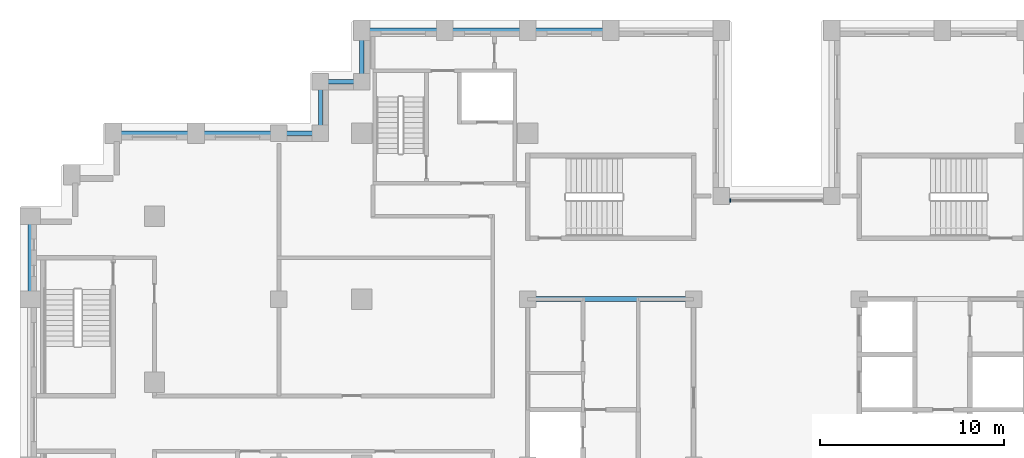
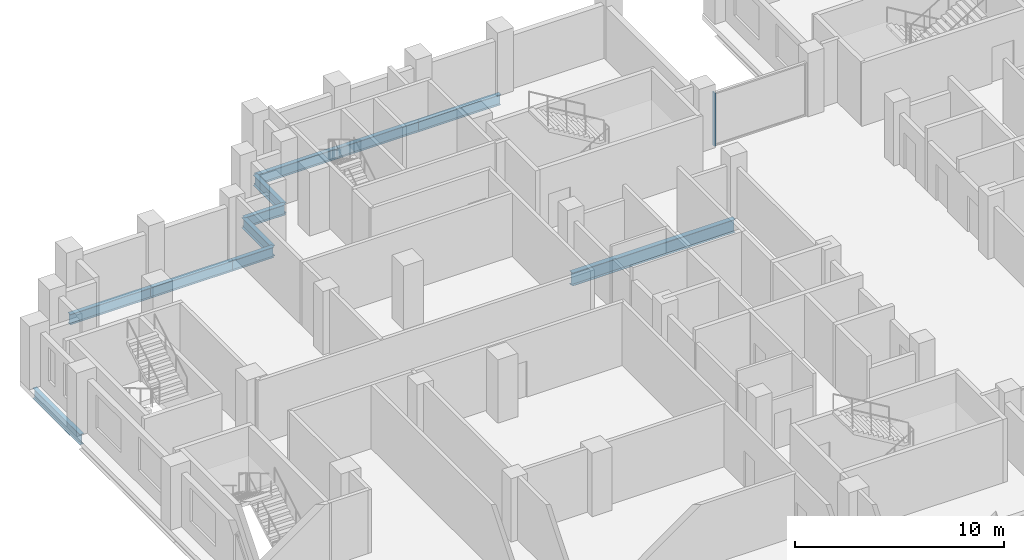
# One storey, part 3 of 15: 11 beams, 1 member, 1 element without a shape of its own.
"""IFC4 building model written with IfcOpenShell, lengths in metres."""

from ifc_helpers import new_model, si_unit, direction, frame, origin, origin_2d, place, context, subcontext, project, spatial, rectangle, i_section, extrude, material, layer, layer_set, material_profile, profile_set, type_object, element, aggregate, save


model = new_model("IFC4")

# Units and contexts
model_context = context("Model", 3, precision=1e-05, world=origin(), true_north=direction((0.0, 1.0)))
body_context = subcontext(model_context, "Body", "Model", "MODEL_VIEW")
ifc_project = project(units=[si_unit("LENGTHUNIT", "METRE"), si_unit("AREAUNIT", "SQUARE_METRE"), si_unit("VOLUMEUNIT", "CUBIC_METRE"), si_unit("PLANEANGLEUNIT", "RADIAN"), si_unit("MASSUNIT", "GRAM", prefix="KILO")], contexts=[model_context])

# Site, building, storey
site_placement = place(None, origin())
site = spatial("IfcSite", under=ifc_project, at=site_placement, CompositionType="ELEMENT")
building_placement = place(site_placement, origin())
building = spatial("IfcBuilding", under=site, at=building_placement, Name="Corbelhall Arena Tower", CompositionType="ELEMENT")
storey_placement = place(building_placement, frame((0.0, 0.0, 138.0)))
storey = spatial("IfcBuildingStorey", under=building, at=storey_placement, Name="L26", CompositionType="ELEMENT", Elevation=138.0)

# Curtain wall, member
ifc_material_1 = material(Name="Aluminium black anodised", Category="aluminium")
ifc_layer = layer(ifc_material_1, 0.199951171875)
ifc_layer_set = layer_set([ifc_layer], Name="EV-CW1 Slot back wall")
curtain_wall_type = type_object("IfcCurtainWallType", Name="EV-CW1 Slot back wall", PredefinedType="NOTDEFINED", material=ifc_layer_set)
curtain_wall_placement = place(storey_placement, origin())
curtain_wall = element("IfcCurtainWall", 1, at=curtain_wall_placement, inside=storey, type_object=curtain_wall_type, Name="Curtain wall CW1", PredefinedType="NOTDEFINED")
ifc_material_profile_1 = material_profile(ifc_material_1, rectangle(XDim=0.199951171875, YDim=0.074951171875, at=origin_2d()))
ifc_profile_set_1 = profile_set([ifc_material_profile_1], Name="Aluminium black anodised")
member_type = type_object("IfcMemberType", Name="EV-CW1-MULLION", PredefinedType="MULLION", material=ifc_profile_set_1)
member_placement = place(storey_placement, frame((-2.512451171875, 14.35009765625, 0.0), z_axis=(0.0, 0.0, 1.0), x_axis=(0.0, -1.0, 0.0)))
member = element("IfcMember", 2, at=member_placement, type_object=member_type, Name="CW1 mullion 2", PredefinedType="MULLION", context=body_context, shape_type="SweptSolid", body=[
    extrude(rectangle(XDim=0.199951171875, YDim=0.074951171875, at=origin_2d()), origin(), (0.0, 0.0, 1.0), 3.10009765625),
])
aggregate(curtain_wall, [member])

# Beams
ifc_material_2 = material(Name="Steel ASTM A992 Gr50", Category="steel")
ifc_material_profile_2 = material_profile(ifc_material_2, i_section(OverallWidth=0.2666015625, OverallDepth=0.761962890625, WebThickness=0.014404296875, FlangeThickness=0.021484375, at=origin_2d()))
ifc_profile_set_2 = profile_set([ifc_material_profile_2], Name="Steel ASTM A992 Gr50")
beam_type_1 = type_object("IfcBeamType", Name="ST-BEAM-W30x116", PredefinedType="BEAM", material=ifc_profile_set_2)
beam_1_placement = place(storey_placement, frame((-13.5, 9.0, -0.680908203125), z_axis=(1.0, 0.0, 0.0), x_axis=(0.0, 1.0, 0.0)))
element("IfcBeam", 3, at=beam_1_placement, inside=storey, type_object=beam_type_1, Name="Beam CEW 6", PredefinedType="BEAM", context=body_context, shape_type="SweptSolid", body=[
    extrude(i_section(OverallWidth=0.2666015625, OverallDepth=0.761962890625, WebThickness=0.014404296875, FlangeThickness=0.021484375, at=origin_2d()), origin(), (0.0, 0.0, 1.0), 9.0),
])
ifc_material_profile_3 = material_profile(ifc_material_2, i_section(OverallWidth=0.22900390625, OverallDepth=0.612060546875, WebThickness=0.011962890625, FlangeThickness=0.01953125, at=origin_2d()))
ifc_profile_set_3 = profile_set([ifc_material_profile_3], Name="Steel ASTM A992 Gr50")
beam_type_2 = type_object("IfcBeamType", Name="ST-SPANDREL-W24x84", PredefinedType="SPANDREL", material=ifc_profile_set_3)
for number, where, z_axis, x_axis, name in (
    (4, (-40.5, 9.0, -0.60595703125), (0.0, 1.0, 0.0), (-1.0, 0.0, 0.0), "Beam SP 2"),
    (5, (-31.5, 18.0, -0.60595703125), (1.0, 0.0, 0.0), (0.0, 1.0, 0.0), "Beam SP 5"),
    (6, (-36.0, 18.0, -0.60595703125), (1.0, 0.0, 0.0), (0.0, 1.0, 0.0), "Beam SP 6"),
    (7, (-13.5, 23.60009765625, -0.60595703125), (1.0, 0.0, 0.0), (0.0, 1.0, 0.0), "Beam SP 24"),
    (8, (-18.0, 23.60009765625, -0.60595703125), (1.0, 0.0, 0.0), (0.0, 1.0, 0.0), "Beam SP 25"),
    (9, (-22.5, 23.60009765625, -0.60595703125), (1.0, 0.0, 0.0), (0.0, 1.0, 0.0), "Beam SP 26"),
):
    element("IfcBeam", number, at=place(storey_placement, frame(where, z_axis=z_axis, x_axis=x_axis)), inside=storey, type_object=beam_type_2, Name=name, PredefinedType="SPANDREL", context=body_context, shape_type="SweptSolid", body=[
        extrude(i_section(OverallWidth=0.22900390625, OverallDepth=0.612060546875, WebThickness=0.011962890625, FlangeThickness=0.01953125, at=origin_2d()), origin(), (0.0, 0.0, 1.0), 4.5),
    ])
beam_2_placement = place(storey_placement, frame((-27.0, 18.0, -0.60595703125), z_axis=(1.0, 0.0, 0.0), x_axis=(0.0, 1.0, 0.0)))
element("IfcBeam", 10, at=beam_2_placement, inside=storey, type_object=beam_type_2, Name="Beam SP 37", PredefinedType="SPANDREL", context=body_context, shape_type="SweptSolid", body=[
    extrude(i_section(OverallWidth=0.22900390625, OverallDepth=0.612060546875, WebThickness=0.011962890625, FlangeThickness=0.01953125, at=origin_2d()), origin(), (0.0, 0.0, 1.0), 2.25),
])
beam_3_placement = place(storey_placement, frame((-22.5, 20.800048828125, -0.60595703125), z_axis=(0.0, 1.0, 0.0), x_axis=(-1.0, 0.0, 0.0)))
element("IfcBeam", 11, at=beam_3_placement, inside=storey, type_object=beam_type_2, Name="Beam SP 46", PredefinedType="SPANDREL", context=body_context, shape_type="SweptSolid", body=[
    extrude(i_section(OverallWidth=0.22900390625, OverallDepth=0.612060546875, WebThickness=0.011962890625, FlangeThickness=0.01953125, at=origin_2d()), origin(), (0.0, 0.0, 1.0), 2.800048828125),
])
beam_4_placement = place(storey_placement, frame((-24.75, 20.800048828125, -0.60595703125), z_axis=(1.0, 0.0, 0.0), x_axis=(0.0, 1.0, 0.0)))
element("IfcBeam", 12, at=beam_4_placement, inside=storey, type_object=beam_type_2, Name="Beam SP 47", PredefinedType="SPANDREL", context=body_context, shape_type="SweptSolid", body=[
    extrude(i_section(OverallWidth=0.22900390625, OverallDepth=0.612060546875, WebThickness=0.011962890625, FlangeThickness=0.01953125, at=origin_2d()), origin(), (0.0, 0.0, 1.0), 2.25),
])
beam_5_placement = place(storey_placement, frame((-24.75, 18.0, -0.60595703125), z_axis=(0.0, 1.0, 0.0), x_axis=(-1.0, 0.0, 0.0)))
element("IfcBeam", 13, at=beam_5_placement, inside=storey, type_object=beam_type_2, Name="Beam SP 48", PredefinedType="SPANDREL", context=body_context, shape_type="SweptSolid", body=[
    extrude(i_section(OverallWidth=0.22900390625, OverallDepth=0.612060546875, WebThickness=0.011962890625, FlangeThickness=0.01953125, at=origin_2d()), origin(), (0.0, 0.0, 1.0), 2.800048828125),
])

save(model, "model.ifc")
